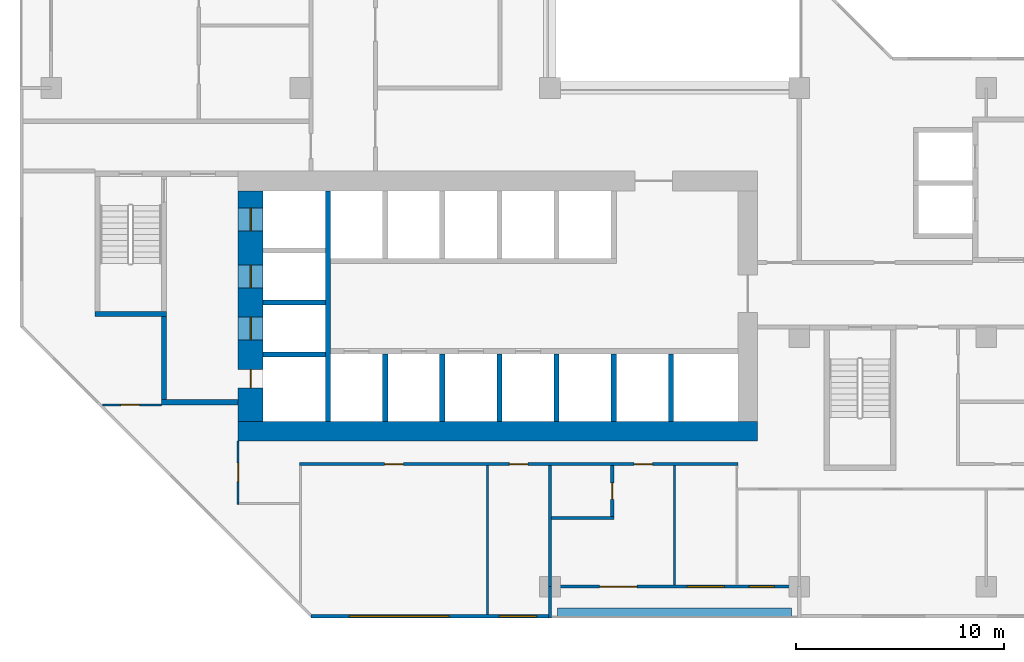
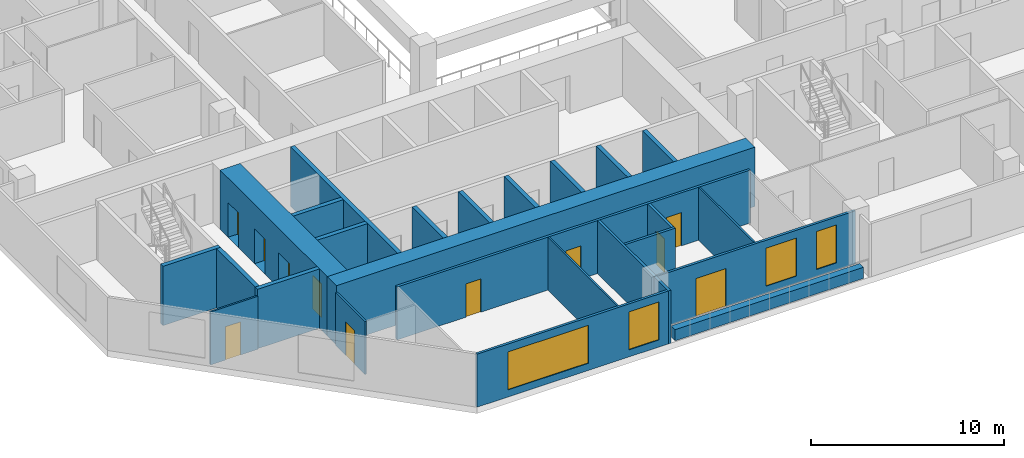
# One storey, part 4 of 15: 26 walls, 11 doors, 4 windows, 15 openings.
"""IFC4 building model written with IfcOpenShell, lengths in metres."""

from ifc_helpers import new_model, si_unit, direction, frame, frame_2d, origin, place, context, subcontext, project, spatial, rectangle, extrude, material, layer, layer_set, type_object, element, fill, save


model = new_model("IFC4")

# Units and contexts
model_context = context("Model", 3, precision=1e-05, world=origin(), true_north=direction((0.0, 1.0)))
body_context = subcontext(model_context, "Body", "Model", "MODEL_VIEW")
ifc_project = project(units=[si_unit("LENGTHUNIT", "METRE"), si_unit("AREAUNIT", "SQUARE_METRE"), si_unit("VOLUMEUNIT", "CUBIC_METRE"), si_unit("PLANEANGLEUNIT", "RADIAN"), si_unit("MASSUNIT", "GRAM", prefix="KILO")], contexts=[model_context])

# Site, building, storey
site_placement = place(None, origin())
site = spatial("IfcSite", under=ifc_project, at=site_placement, CompositionType="ELEMENT")
building_placement = place(site_placement, origin())
building = spatial("IfcBuilding", under=site, at=building_placement, Name="Chenar Terraces", CompositionType="ELEMENT")
storey_placement = place(building_placement, frame((0.0, 0.0, 95.64990234375)))
storey = spatial("IfcBuildingStorey", under=building, at=storey_placement, Name="L21", CompositionType="ELEMENT", Elevation=95.64990234375)

# Wall, openings, doors
ifc_material_1 = material(Name="Concrete C70/85", Category="concrete")
ifc_layer_1 = layer(ifc_material_1, 1.199951171875)
ifc_layer_set_1 = layer_set([ifc_layer_1], Name="Concrete C70/85")
wall_type_1 = type_object("IfcWallType", Name="Core wall 1200 Concrete C70/85", PredefinedType="SHEAR", material=ifc_layer_set_1)
wall_1_placement = place(storey_placement, frame((9.60009765625, 7.949951171875, 0.0), z_axis=(0.0, 0.0, 1.0), x_axis=(0.0, 1.0, 0.0)))
wall_1 = element("IfcWall", 1, at=wall_1_placement, inside=storey, type_object=wall_type_1, Name="Core wall W L21", PredefinedType="SHEAR", context=body_context, shape_type="SweptSolid", body=[
    extrude(rectangle(XDim=11.10009765625, YDim=1.199951171875, at=frame_2d((5.550048828125, 0.0))), origin(), (0.0, 0.0, 1.0), 3.75),
])
opening_1_placement = place(wall_1_placement, frame((3.925048828125, 0.0, 0.0)))
opening_1 = element("IfcOpeningElement", 2, at=opening_1_placement, cuts=wall_1, Name="Opening DL21-LD5", PredefinedType="OPENING", context=body_context, shape_type="SweptSolid", body=[
    extrude(rectangle(XDim=1.10009765625, YDim=2.199951171875, at=frame_2d((0.550048828125, 1.10009765625))), frame((0.0, 0.60986328125, 0.0), z_axis=(0.0, -1.0, 0.0), x_axis=(1.0, 0.0, 0.0)), (0.0, 0.0, 1.0), 1.219970703125),
])
opening_2_placement = place(wall_1_placement, frame((6.425048828125, 0.0, 0.0)))
opening_2 = element("IfcOpeningElement", 3, at=opening_2_placement, cuts=wall_1, Name="Opening DL21-LD6", PredefinedType="OPENING", context=body_context, shape_type="SweptSolid", body=[
    extrude(rectangle(XDim=1.10009765625, YDim=2.199951171875, at=frame_2d((0.550048828125, 1.10009765625))), frame((0.0, 0.60986328125, 0.0), z_axis=(0.0, -1.0, 0.0), x_axis=(1.0, 0.0, 0.0)), (0.0, 0.0, 1.0), 1.219970703125),
])
opening_3_placement = place(wall_1_placement, frame((9.175048828125, 0.0, 0.0)))
opening_3 = element("IfcOpeningElement", 4, at=opening_3_placement, cuts=wall_1, Name="Opening DL21-LD7", PredefinedType="OPENING", context=body_context, shape_type="SweptSolid", body=[
    extrude(rectangle(XDim=1.10009765625, YDim=2.199951171875, at=frame_2d((0.550048828125, 1.10009765625))), frame((0.0, 0.60986328125, 0.0), z_axis=(0.0, -1.0, 0.0), x_axis=(1.0, 0.0, 0.0)), (0.0, 0.0, 1.0), 1.219970703125),
])
opening_4_placement = place(wall_1_placement, frame((1.60009765625, 0.0, 0.0)))
opening_4 = element("IfcOpeningElement", 5, at=opening_4_placement, cuts=wall_1, Name="Opening DL21-C4", PredefinedType="OPENING", context=body_context, shape_type="SweptSolid", body=[
    extrude(rectangle(XDim=0.89990234375, YDim=2.10009765625, at=frame_2d((0.449951171875, 1.050048828125))), frame((0.0, 0.60986328125, 0.0), z_axis=(0.0, -1.0, 0.0), x_axis=(1.0, 0.0, 0.0)), (0.0, 0.0, 1.0), 1.219970703125),
])
ifc_material_2 = material(Name="Stainless steel", Category="steel")
door_type_1 = type_object("IfcDoorType", Name="Lift landing door 1100 x 2200 sliding", OperationType="DOUBLE_DOOR_SLIDING", PredefinedType="DOOR", material=ifc_material_2)
door_1_placement = place(opening_1_placement, origin())
door_1 = element("IfcDoor", 6, at=door_1_placement, inside=storey, type_object=door_type_1, Name="Landing door S1", OperationType="DOUBLE_DOOR_SLIDING", OverallHeight=2.199951171875, OverallWidth=1.10009765625, PredefinedType="DOOR", context=body_context, shape_type="SweptSolid", body=[
    extrude(rectangle(XDim=1.10009765625, YDim=2.199951171875, at=frame_2d((0.550048828125, 1.10009765625))), frame((0.0, 0.02490234375, 0.0), z_axis=(0.0, -1.0, 0.0), x_axis=(1.0, 0.0, 0.0)), (0.0, 0.0, 1.0), 0.050048828125),
])
fill(opening_1, door_1)
door_2_placement = place(opening_2_placement, origin())
door_2 = element("IfcDoor", 7, at=door_2_placement, inside=storey, type_object=door_type_1, Name="Landing door F1", OperationType="DOUBLE_DOOR_SLIDING", OverallHeight=2.199951171875, OverallWidth=1.10009765625, PredefinedType="DOOR", context=body_context, shape_type="SweptSolid", body=[
    extrude(rectangle(XDim=1.10009765625, YDim=2.199951171875, at=frame_2d((0.550048828125, 1.10009765625))), frame((0.0, 0.02490234375, 0.0), z_axis=(0.0, -1.0, 0.0), x_axis=(1.0, 0.0, 0.0)), (0.0, 0.0, 1.0), 0.050048828125),
])
fill(opening_2, door_2)
door_3_placement = place(opening_3_placement, origin())
door_3 = element("IfcDoor", 8, at=door_3_placement, inside=storey, type_object=door_type_1, Name="Landing door F2", OperationType="DOUBLE_DOOR_SLIDING", OverallHeight=2.199951171875, OverallWidth=1.10009765625, PredefinedType="DOOR", context=body_context, shape_type="SweptSolid", body=[
    extrude(rectangle(XDim=1.10009765625, YDim=2.199951171875, at=frame_2d((0.550048828125, 1.10009765625))), frame((0.0, 0.02490234375, 0.0), z_axis=(0.0, -1.0, 0.0), x_axis=(1.0, 0.0, 0.0)), (0.0, 0.0, 1.0), 0.050048828125),
])
fill(opening_3, door_3)
ifc_material_3 = material(Name="Steel-framed fire-resisting door leaf", Category="steel")
door_type_2 = type_object("IfcDoorType", Name="Riser fire door FD60 900 x 2100", OperationType="SINGLE_SWING_LEFT", PredefinedType="DOOR", material=ifc_material_3)
door_4_placement = place(opening_4_placement, frame((0.89990234375, 0.0, 0.0), z_axis=(0.0, 0.0, 1.0), x_axis=(-1.0, 0.0, 0.0)))
door_4 = element("IfcDoor", 9, at=door_4_placement, inside=storey, type_object=door_type_2, Name="Riser door DL21-C4", OperationType="SINGLE_SWING_LEFT", OverallHeight=2.10009765625, OverallWidth=0.89990234375, PredefinedType="DOOR", context=body_context, shape_type="SweptSolid", body=[
    extrude(rectangle(XDim=0.89990234375, YDim=2.10009765625, at=frame_2d((0.449951171875, 1.050048828125))), frame((0.0, 0.02490234375, 0.0), z_axis=(0.0, -1.0, 0.0), x_axis=(1.0, 0.0, 0.0)), (0.0, 0.0, 1.0), 0.050048828125),
])
fill(opening_4, door_4)

# Walls
ifc_material_4 = material(Name="Concrete C70/85", Category="concrete")
ifc_layer_2 = layer(ifc_material_4, 0.25)
ifc_layer_set_2 = layer_set([ifc_layer_2], Name="Concrete C70/85")
wall_type_2 = type_object("IfcWallType", Name="Core wall 250 Concrete C70/85", PredefinedType="SHEAR", material=ifc_layer_set_2)
wall_2_placement = place(storey_placement, frame((13.324951171875, 7.949951171875, 0.0), z_axis=(0.0, 0.0, 1.0), x_axis=(0.0, 1.0, 0.0)))
element("IfcWall", 10, at=wall_2_placement, inside=storey, type_object=wall_type_2, Name="Core wall WI L21", PredefinedType="SHEAR", context=body_context, shape_type="SweptSolid", body=[
    extrude(rectangle(XDim=11.10009765625, YDim=0.25, at=frame_2d((5.550048828125, 0.0))), origin(), (0.0, 0.0, 1.0), 3.75),
])
for number, where, z_axis, x_axis, name in (
    (11, (10.199951171875, 11.175048828125, 0.0), (0.0, 0.0, 1.0), (1.0, 0.0, 0.0), "Core wall HW0 L21"),
    (12, (10.199951171875, 13.675048828125, 0.0), (0.0, 0.0, 1.0), (1.0, 0.0, 0.0), "Core wall HW1 L21"),
):
    element("IfcWall", number, at=place(storey_placement, frame(where, z_axis=z_axis, x_axis=x_axis)), inside=storey, type_object=wall_type_2, Name=name, PredefinedType="SHEAR", context=body_context, shape_type="SweptSolid", body=[
        extrude(rectangle(XDim=3.0, YDim=0.25, at=frame_2d((1.5, 0.0))), origin(), (0.0, 0.0, 1.0), 3.75),
    ])
for number, where, z_axis, x_axis, name in (
    (13, (16.074951171875, 7.949951171875, 0.0), (0.0, 0.0, 1.0), (0.0, 1.0, 0.0), "Core wall SS0 L21"),
    (14, (18.824951171875, 7.949951171875, 0.0), (0.0, 0.0, 1.0), (0.0, 1.0, 0.0), "Core wall SS1 L21"),
    (15, (21.574951171875, 7.949951171875, 0.0), (0.0, 0.0, 1.0), (0.0, 1.0, 0.0), "Core wall SS2 L21"),
    (16, (24.324951171875, 7.949951171875, 0.0), (0.0, 0.0, 1.0), (0.0, 1.0, 0.0), "Core wall SS3 L21"),
    (17, (27.074951171875, 7.949951171875, 0.0), (0.0, 0.0, 1.0), (0.0, 1.0, 0.0), "Core wall SS4 L21"),
    (18, (29.824951171875, 7.949951171875, 0.0), (0.0, 0.0, 1.0), (0.0, 1.0, 0.0), "Core wall SS5 L21"),
):
    element("IfcWall", number, at=place(storey_placement, frame(where, z_axis=z_axis, x_axis=x_axis)), inside=storey, type_object=wall_type_2, Name=name, PredefinedType="SHEAR", context=body_context, shape_type="SweptSolid", body=[
        extrude(rectangle(XDim=3.25, YDim=0.25, at=frame_2d((1.625, 0.0))), origin(), (0.0, 0.0, 1.0), 3.75),
    ])
wall_3_placement = place(storey_placement, frame((2.10009765625, 13.125, 0.0), z_axis=(0.0, 0.0, 1.0), x_axis=(1.0, 0.0, 0.0)))
element("IfcWall", 19, at=wall_3_placement, inside=storey, type_object=wall_type_2, Name="Core wall ST1_S L21", PredefinedType="SHEAR", context=body_context, shape_type="SweptSolid", body=[
    extrude(rectangle(XDim=3.449951171875, YDim=0.25, at=frame_2d((1.72509765625, 0.0))), origin(), (0.0, 0.0, 1.0), 3.75),
])
wall_4_placement = place(storey_placement, frame((5.300048828125, 8.875, 0.0), z_axis=(0.0, 0.0, 1.0), x_axis=(1.0, 0.0, 0.0)))
element("IfcWall", 20, at=wall_4_placement, inside=storey, type_object=wall_type_2, Name="Core wall FFL_S L21", PredefinedType="SHEAR", context=body_context, shape_type="SweptSolid", body=[
    extrude(rectangle(XDim=3.699951171875, YDim=0.25, at=frame_2d((1.85009765625, 0.0))), origin(), (0.0, 0.0, 1.0), 3.75),
])
wall_5_placement = place(storey_placement, frame((5.425048828125, 9.0, 0.0), z_axis=(0.0, 0.0, 1.0), x_axis=(0.0, 1.0, 0.0)))
element("IfcWall", 21, at=wall_5_placement, inside=storey, type_object=wall_type_2, Name="Core wall FFL_W L21", PredefinedType="SHEAR", context=body_context, shape_type="SweptSolid", body=[
    extrude(rectangle(XDim=4.0, YDim=0.25, at=frame_2d((2.0, 0.0))), origin(), (0.0, 0.0, 1.0), 3.75),
])
ifc_material_5 = material(Name="Concrete C70/85", Category="concrete")
ifc_layer_3 = layer(ifc_material_5, 0.949951171875)
ifc_layer_set_3 = layer_set([ifc_layer_3], Name="Concrete C70/85")
wall_type_3 = type_object("IfcWallType", Name="Core wall 950 Concrete C70/85", PredefinedType="SHEAR", material=ifc_layer_set_3)
wall_6_placement = place(storey_placement, frame((9.0, 7.47509765625, 0.0), z_axis=(0.0, 0.0, 1.0), x_axis=(1.0, 0.0, 0.0)))
element("IfcWall", 22, at=wall_6_placement, inside=storey, type_object=wall_type_3, Name="Core wall S L21", PredefinedType="SHEAR", context=body_context, shape_type="SweptSolid", body=[
    extrude(rectangle(XDim=25.0, YDim=0.949951171875, at=frame_2d((12.5, 0.0))), origin(), (0.0, 0.0, 1.0), 3.75),
])

# Wall, openings, windows
ifc_material_6 = material(Name="Aluminium framed glazing", Category="aluminium")
ifc_layer_4 = layer(ifc_material_6, 0.14990234375)
ifc_layer_set_4 = layer_set([ifc_layer_4], Name="Aluminium framed glazing")
wall_type_4 = type_object("IfcWallType", Name="Glazed flush facade wall 150", PredefinedType="SOLIDWALL", material=ifc_layer_set_4)
wall_7_placement = place(storey_placement, frame((12.5, -1.425048828125, 0.0), z_axis=(0.0, 0.0, 1.0), x_axis=(1.0, 0.0, 0.0)))
wall_7 = element("IfcWall", 23, at=wall_7_placement, inside=storey, type_object=wall_type_4, Name="Glazed flush facade wall", PredefinedType="SOLIDWALL", context=body_context, shape_type="SweptSolid", body=[
    extrude(rectangle(XDim=11.425048828125, YDim=0.14990234375, at=frame_2d((5.71240234375, 0.0))), origin(), (0.0, 0.0, 1.0), 3.35009765625),
])
opening_5_placement = place(wall_7_placement, frame((1.85009765625, 0.0, 0.449951171875)))
opening_5 = element("IfcOpeningElement", 24, at=opening_5_placement, cuts=wall_7, Name="Opening W480x240", PredefinedType="OPENING", context=body_context, shape_type="SweptSolid", body=[
    extrude(rectangle(XDim=4.800048828125, YDim=2.39990234375, at=frame_2d((2.39990234375, 1.199951171875))), frame((0.0, 0.0849609375, 0.0), z_axis=(0.0, -1.0, 0.0), x_axis=(1.0, 0.0, 0.0)), (0.0, 0.0, 1.0), 0.169921875),
])
opening_6_placement = place(wall_7_placement, frame((9.0625, 0.0, 0.449951171875)))
opening_6 = element("IfcOpeningElement", 25, at=opening_6_placement, cuts=wall_7, Name="Opening W180x240", PredefinedType="OPENING", context=body_context, shape_type="SweptSolid", body=[
    extrude(rectangle(XDim=1.800048828125, YDim=2.39990234375, at=frame_2d((0.89990234375, 1.199951171875))), frame((0.0, 0.0849609375, 0.0), z_axis=(0.0, -1.0, 0.0), x_axis=(1.0, 0.0, 0.0)), (0.0, 0.0, 1.0), 0.169921875),
])
ifc_material_7 = material(Name="Low emissivity double glazing, aluminium frame", Category="aluminium")
window_type_1 = type_object("IfcWindowType", Name="Fixed light 1800 x 2400", PartitioningType="SINGLE_PANEL", PredefinedType="WINDOW", material=ifc_material_7)
window_1_placement = place(opening_6_placement, origin())
window_1 = element("IfcWindow", 26, at=window_1_placement, inside=storey, type_object=window_type_1, Name="Window", OverallHeight=2.39990234375, OverallWidth=1.800048828125, PartitioningType="SINGLE_PANEL", PredefinedType="WINDOW", context=body_context, shape_type="SweptSolid", body=[
    extrude(rectangle(XDim=1.800048828125, YDim=2.39990234375, at=frame_2d((0.89990234375, 1.199951171875))), frame((0.0, 0.030029296875, 0.0), z_axis=(0.0, -1.0, 0.0), x_axis=(1.0, 0.0, 0.0)), (0.0, 0.0, 1.0), 0.06005859375),
])
fill(opening_6, window_1)
ifc_material_8 = material(Name="Low emissivity double glazing, aluminium frame", Category="aluminium")
window_type_2 = type_object("IfcWindowType", Name="Fixed light 4800 x 2400", PartitioningType="SINGLE_PANEL", PredefinedType="WINDOW", material=ifc_material_8)
window_2_placement = place(opening_5_placement, origin())
window_2 = element("IfcWindow", 27, at=window_2_placement, inside=storey, type_object=window_type_2, Name="Window", OverallHeight=2.39990234375, OverallWidth=4.800048828125, PartitioningType="SINGLE_PANEL", PredefinedType="WINDOW", context=body_context, shape_type="SweptSolid", body=[
    extrude(rectangle(XDim=4.800048828125, YDim=2.39990234375, at=frame_2d((2.39990234375, 1.199951171875))), frame((0.0, 0.030029296875, 0.0), z_axis=(0.0, -1.0, 0.0), x_axis=(1.0, 0.0, 0.0)), (0.0, 0.0, 1.0), 0.06005859375),
])
fill(opening_5, window_2)

# Wall, openings, windows, door
ifc_material_9 = material(Name="Aluminium framed glazing", Category="aluminium")
ifc_layer_5 = layer(ifc_material_9, 0.14990234375)
ifc_layer_set_5 = layer_set([ifc_layer_5], Name="Aluminium framed glazing")
wall_type_5 = type_object("IfcWallType", Name="Glazed loggia back wall 150", PredefinedType="SOLIDWALL", material=ifc_layer_set_5)
wall_8_placement = place(storey_placement, frame((24.074951171875, 0.0, 0.0), z_axis=(0.0, 0.0, 1.0), x_axis=(1.0, 0.0, 0.0)))
wall_8 = element("IfcWall", 28, at=wall_8_placement, inside=storey, type_object=wall_type_5, Name="Glazed loggia back wall", PredefinedType="SOLIDWALL", context=body_context, shape_type="SweptSolid", body=[
    extrude(rectangle(XDim=11.85009765625, YDim=0.14990234375, at=frame_2d((5.925048828125, 0.0))), origin(), (0.0, 0.0, 1.0), 3.35009765625),
])
opening_7_placement = place(wall_8_placement, frame((2.324951171875, 0.0, 0.0)))
opening_7 = element("IfcOpeningElement", 29, at=opening_7_placement, cuts=wall_8, Name="Opening DL21-G6", PredefinedType="OPENING", context=body_context, shape_type="SweptSolid", body=[
    extrude(rectangle(XDim=1.800048828125, YDim=2.39990234375, at=frame_2d((0.89990234375, 1.199951171875))), frame((0.0, 0.0849609375, 0.0), z_axis=(0.0, -1.0, 0.0), x_axis=(1.0, 0.0, 0.0)), (0.0, 0.0, 1.0), 0.169921875),
])
opening_8_placement = place(wall_8_placement, frame((6.52490234375, 0.0, 0.449951171875)))
opening_8 = element("IfcOpeningElement", 30, at=opening_8_placement, cuts=wall_8, Name="Opening W180x240", PredefinedType="OPENING", context=body_context, shape_type="SweptSolid", body=[
    extrude(rectangle(XDim=1.800048828125, YDim=2.39990234375, at=frame_2d((0.89990234375, 1.199951171875))), frame((0.0, 0.0849609375, 0.0), z_axis=(0.0, -1.0, 0.0), x_axis=(1.0, 0.0, 0.0)), (0.0, 0.0, 1.0), 0.169921875),
])
opening_9_placement = place(wall_8_placement, frame((9.52490234375, 0.0, 0.449951171875)))
opening_9 = element("IfcOpeningElement", 31, at=opening_9_placement, cuts=wall_8, Name="Opening W120x240", PredefinedType="OPENING", context=body_context, shape_type="SweptSolid", body=[
    extrude(rectangle(XDim=1.199951171875, YDim=2.39990234375, at=frame_2d((0.60009765625, 1.199951171875))), frame((0.0, 0.0849609375, 0.0), z_axis=(0.0, -1.0, 0.0), x_axis=(1.0, 0.0, 0.0)), (0.0, 0.0, 1.0), 0.169921875),
])
ifc_material_10 = material(Name="Low emissivity double glazing, aluminium frame", Category="aluminium")
window_type_3 = type_object("IfcWindowType", Name="Fixed light 1200 x 2400", PartitioningType="SINGLE_PANEL", PredefinedType="WINDOW", material=ifc_material_10)
window_3_placement = place(opening_9_placement, origin())
window_3 = element("IfcWindow", 32, at=window_3_placement, inside=storey, type_object=window_type_3, Name="Window", OverallHeight=2.39990234375, OverallWidth=1.199951171875, PartitioningType="SINGLE_PANEL", PredefinedType="WINDOW", context=body_context, shape_type="SweptSolid", body=[
    extrude(rectangle(XDim=1.199951171875, YDim=2.39990234375, at=frame_2d((0.60009765625, 1.199951171875))), frame((0.0, 0.030029296875, 0.0), z_axis=(0.0, -1.0, 0.0), x_axis=(1.0, 0.0, 0.0)), (0.0, 0.0, 1.0), 0.06005859375),
])
fill(opening_9, window_3)
window_4_placement = place(opening_8_placement, origin())
window_4 = element("IfcWindow", 33, at=window_4_placement, inside=storey, type_object=window_type_1, Name="Window", OverallHeight=2.39990234375, OverallWidth=1.800048828125, PartitioningType="SINGLE_PANEL", PredefinedType="WINDOW", context=body_context, shape_type="SweptSolid", body=[
    extrude(rectangle(XDim=1.800048828125, YDim=2.39990234375, at=frame_2d((0.89990234375, 1.199951171875))), frame((0.0, 0.030029296875, 0.0), z_axis=(0.0, -1.0, 0.0), x_axis=(1.0, 0.0, 0.0)), (0.0, 0.0, 1.0), 0.06005859375),
])
fill(opening_8, window_4)
ifc_material_11 = material(Name="Low emissivity double glazing, aluminium frame", Category="aluminium")
door_type_3 = type_object("IfcDoorType", Name="Loggia glazed double door 1800 x 2400", OperationType="DOUBLE_DOOR_SINGLE_SWING", PredefinedType="DOOR", material=ifc_material_11)
door_5_placement = place(opening_7_placement, frame((1.800048828125, 0.0, 0.0), z_axis=(0.0, 0.0, 1.0), x_axis=(-1.0, 0.0, 0.0)))
door_5 = element("IfcDoor", 34, at=door_5_placement, inside=storey, type_object=door_type_3, Name="Loggia glazed door", OperationType="DOUBLE_DOOR_SINGLE_SWING", OverallHeight=2.39990234375, OverallWidth=1.800048828125, PredefinedType="DOOR", context=body_context, shape_type="SweptSolid", body=[
    extrude(rectangle(XDim=1.800048828125, YDim=2.39990234375, at=frame_2d((0.89990234375, 1.199951171875))), frame((0.0, 0.02490234375, 0.0), z_axis=(0.0, -1.0, 0.0), x_axis=(1.0, 0.0, 0.0)), (0.0, 0.0, 1.0), 0.050048828125),
])
fill(opening_7, door_5)

# Wall, opening, door
ifc_material_12 = material(Name="Gypsum board on steel studs", Category="steel")
ifc_layer_6 = layer(ifc_material_12, 0.10009765625)
ifc_layer_set_6 = layer_set([ifc_layer_6], Name="Gypsum board on steel studs")
wall_type_6 = type_object("IfcWallType", Name="Gypsum partition 100", PredefinedType="PARTITIONING", material=ifc_layer_set_6)
wall_9_placement = place(storey_placement, frame((2.4609375, 8.75, 0.0), z_axis=(0.0, 0.0, 1.0), x_axis=(1.0, 0.0, 0.0)))
wall_9 = element("IfcWall", 35, at=wall_9_placement, inside=storey, type_object=wall_type_6, Name="Partition L21-010", PredefinedType="PARTITIONING", context=body_context, shape_type="SweptSolid", body=[
    extrude(rectangle(XDim=2.839111328125, YDim=0.10009765625, at=frame_2d((1.41943359375, 0.0))), origin(), (0.0, 0.0, 1.0), 3.35009765625),
])
opening_10_placement = place(wall_9_placement, frame((0.888916015625, 0.0, 0.0)))
opening_10 = element("IfcOpeningElement", 36, at=opening_10_placement, cuts=wall_9, Name="Opening DL21-60", PredefinedType="OPENING", context=body_context, shape_type="SweptSolid", body=[
    extrude(rectangle(XDim=0.89990234375, YDim=2.10009765625, at=frame_2d((0.449951171875, 1.050048828125))), frame((0.0, 0.06005859375, 0.0), z_axis=(0.0, -1.0, 0.0), x_axis=(1.0, 0.0, 0.0)), (0.0, 0.0, 1.0), 0.1201171875),
])
ifc_material_13 = material(Name="Veneered timber door leaf", Category="wood")
door_type_4 = type_object("IfcDoorType", Name="Door 900 x 2100", OperationType="SINGLE_SWING_LEFT", PredefinedType="DOOR", material=ifc_material_13)
door_6_placement = place(opening_10_placement, frame((0.89990234375, 0.0, 0.0), z_axis=(0.0, 0.0, 1.0), x_axis=(-1.0, 0.0, 0.0)))
door_6 = element("IfcDoor", 37, at=door_6_placement, inside=storey, type_object=door_type_4, Name="Door DL21-60", OperationType="SINGLE_SWING_RIGHT", OverallHeight=2.10009765625, OverallWidth=0.89990234375, PredefinedType="DOOR", context=body_context, shape_type="SweptSolid", body=[
    extrude(rectangle(XDim=0.89990234375, YDim=2.10009765625, at=frame_2d((0.449951171875, 1.050048828125))), frame((0.0, 0.02490234375, 0.0), z_axis=(0.0, -1.0, 0.0), x_axis=(1.0, 0.0, 0.0)), (0.0, 0.0, 1.0), 0.050048828125),
])
fill(opening_10, door_6)

wall_10_placement = place(storey_placement, frame((9.0, 3.949951171875, 0.0), z_axis=(0.0, 0.0, 1.0), x_axis=(0.0, 1.0, 0.0)))
wall_10 = element("IfcWall", 38, at=wall_10_placement, inside=storey, type_object=wall_type_6, Name="Partition L21-033", PredefinedType="PARTITIONING", context=body_context, shape_type="SweptSolid", body=[
    extrude(rectangle(XDim=3.050048828125, YDim=0.10009765625, at=frame_2d((1.52490234375, 0.0))), origin(), (0.0, 0.0, 1.0), 3.35009765625),
])
opening_11_placement = place(wall_10_placement, frame((1.10009765625, 0.0, 0.0)))
opening_11 = element("IfcOpeningElement", 39, at=opening_11_placement, cuts=wall_10, Name="Opening DL21-59", PredefinedType="OPENING", context=body_context, shape_type="SweptSolid", body=[
    extrude(rectangle(XDim=0.89990234375, YDim=2.10009765625, at=frame_2d((0.449951171875, 1.050048828125))), frame((0.0, 0.06005859375, 0.0), z_axis=(0.0, -1.0, 0.0), x_axis=(1.0, 0.0, 0.0)), (0.0, 0.0, 1.0), 0.1201171875),
])
door_7_placement = place(opening_11_placement, origin())
door_7 = element("IfcDoor", 40, at=door_7_placement, inside=storey, type_object=door_type_4, Name="Door DL21-59", OperationType="SINGLE_SWING_LEFT", OverallHeight=2.10009765625, OverallWidth=0.89990234375, PredefinedType="DOOR", context=body_context, shape_type="SweptSolid", body=[
    extrude(rectangle(XDim=0.89990234375, YDim=2.10009765625, at=frame_2d((0.449951171875, 1.050048828125))), frame((0.0, 0.02490234375, 0.0), z_axis=(0.0, -1.0, 0.0), x_axis=(1.0, 0.0, 0.0)), (0.0, 0.0, 1.0), 0.050048828125),
])
fill(opening_11, door_7)

# Walls
wall_11_placement = place(storey_placement, frame((21.0, -1.35009765625, 0.0), z_axis=(0.0, 0.0, 1.0), x_axis=(0.0, 1.0, 0.0)))
element("IfcWall", 41, at=wall_11_placement, inside=storey, type_object=wall_type_6, Name="Partition L21-059", PredefinedType="PARTITIONING", context=body_context, shape_type="SweptSolid", body=[
    extrude(rectangle(XDim=7.175048828125, YDim=0.10009765625, at=frame_2d((3.58740234375, 0.0))), origin(), (0.0, 0.0, 1.0), 3.35009765625),
])
wall_12_placement = place(storey_placement, frame((30.0, 0.073974609375, 0.0), z_axis=(0.0, 0.0, 1.0), x_axis=(0.0, 1.0, 0.0)))
element("IfcWall", 42, at=wall_12_placement, inside=storey, type_object=wall_type_6, Name="Partition L21-064", PredefinedType="PARTITIONING", context=body_context, shape_type="SweptSolid", body=[
    extrude(rectangle(XDim=5.7509765625, YDim=0.10009765625, at=frame_2d((2.87548828125, 0.0))), origin(), (0.0, 0.0, 1.0), 3.35009765625),
])
ifc_material_14 = material(Name="Terracotta cladding on insulated backing", Category="masonry")
ifc_layer_7 = layer(ifc_material_14, 0.14990234375)
ifc_layer_set_7 = layer_set([ifc_layer_7], Name="Terracotta cladding on insulated backing")
wall_type_7 = type_object("IfcWallType", Name="Loggia return wall 150", PredefinedType="SOLIDWALL", material=ifc_layer_set_7)
wall_13_placement = place(storey_placement, frame((24.0, -1.5, 0.0), z_axis=(0.0, 0.0, 1.0), x_axis=(0.0, 1.0, 0.0)))
element("IfcWall", 43, at=wall_13_placement, inside=storey, type_object=wall_type_7, Name="Loggia return wall", PredefinedType="SOLIDWALL", context=body_context, shape_type="SweptSolid", body=[
    extrude(rectangle(XDim=1.5, YDim=0.14990234375, at=frame_2d((0.75, 0.0))), origin(), (0.0, 0.0, 1.0), 3.35009765625),
])
ifc_material_15 = material(Name="GRP planter trough")
ifc_layer_8 = layer(ifc_material_15, 0.39990234375)
ifc_layer_set_8 = layer_set([ifc_layer_8], Name="GRP planter trough")
wall_type_8 = type_object("IfcWallType", Name="Vertical greenery planter 400", PredefinedType="SOLIDWALL", material=ifc_layer_set_8)
wall_14_placement = place(storey_placement, frame((24.375, -1.22900390625, 0.0), z_axis=(0.0, 0.0, 1.0), x_axis=(1.0, 0.0, 0.0)))
element("IfcWall", 44, at=wall_14_placement, inside=storey, type_object=wall_type_8, Name="Vertical greenery planter", PredefinedType="SOLIDWALL", context=body_context, shape_type="SweptSolid", body=[
    extrude(rectangle(XDim=11.25, YDim=0.39990234375, at=frame_2d((5.625, 0.0))), origin(), (0.0, 0.0, 1.0), 0.7001953125),
])

# Wall, openings, doors
ifc_material_16 = material(Name="Moisture-resistant gypsum board on steel studs", Category="steel")
ifc_layer_9 = layer(ifc_material_16, 0.14990234375)
ifc_layer_set_9 = layer_set([ifc_layer_9], Name="Moisture-resistant gypsum board on steel studs")
wall_type_9 = type_object("IfcWallType", Name="Wet-room partition 150", PredefinedType="PARTITIONING", material=ifc_layer_set_9)
wall_15_placement = place(storey_placement, frame((11.949951171875, 5.89990234375, 0.0), z_axis=(0.0, 0.0, 1.0), x_axis=(1.0, 0.0, 0.0)))
wall_15 = element("IfcWall", 45, at=wall_15_placement, inside=storey, type_object=wall_type_9, Name="Partition L21-035", PredefinedType="PARTITIONING", context=body_context, shape_type="SweptSolid", body=[
    extrude(rectangle(XDim=21.10009765625, YDim=0.14990234375, at=frame_2d((10.550048828125, 0.0))), origin(), (0.0, 0.0, 1.0), 3.35009765625),
])
opening_12_placement = place(wall_15_placement, frame((10.10009765625, 0.0, 0.0)))
opening_12 = element("IfcOpeningElement", 46, at=opening_12_placement, cuts=wall_15, Name="Opening DL21-55", PredefinedType="OPENING", context=body_context, shape_type="SweptSolid", body=[
    extrude(rectangle(XDim=0.89990234375, YDim=2.10009765625, at=frame_2d((0.449951171875, 1.050048828125))), frame((0.0, 0.0849609375, 0.0), z_axis=(0.0, -1.0, 0.0), x_axis=(1.0, 0.0, 0.0)), (0.0, 0.0, 1.0), 0.169921875),
])
opening_13_placement = place(wall_15_placement, frame((16.10009765625, 0.0, 0.0)))
opening_13 = element("IfcOpeningElement", 47, at=opening_13_placement, cuts=wall_15, Name="Opening DL21-61", PredefinedType="OPENING", context=body_context, shape_type="SweptSolid", body=[
    extrude(rectangle(XDim=0.89990234375, YDim=2.10009765625, at=frame_2d((0.449951171875, 1.050048828125))), frame((0.0, 0.0849609375, 0.0), z_axis=(0.0, -1.0, 0.0), x_axis=(1.0, 0.0, 0.0)), (0.0, 0.0, 1.0), 0.169921875),
])
opening_14_placement = place(wall_15_placement, frame((4.10009765625, 0.0, 0.0)))
opening_14 = element("IfcOpeningElement", 48, at=opening_14_placement, cuts=wall_15, Name="Opening DL21-65", PredefinedType="OPENING", context=body_context, shape_type="SweptSolid", body=[
    extrude(rectangle(XDim=0.89990234375, YDim=2.10009765625, at=frame_2d((0.449951171875, 1.050048828125))), frame((0.0, 0.0849609375, 0.0), z_axis=(0.0, -1.0, 0.0), x_axis=(1.0, 0.0, 0.0)), (0.0, 0.0, 1.0), 0.169921875),
])
door_8_placement = place(opening_12_placement, frame((0.89990234375, 0.0, 0.0), z_axis=(0.0, 0.0, 1.0), x_axis=(-1.0, 0.0, 0.0)))
door_8 = element("IfcDoor", 49, at=door_8_placement, inside=storey, type_object=door_type_4, Name="Door DL21-55", OperationType="SINGLE_SWING_RIGHT", OverallHeight=2.10009765625, OverallWidth=0.89990234375, PredefinedType="DOOR", context=body_context, shape_type="SweptSolid", body=[
    extrude(rectangle(XDim=0.89990234375, YDim=2.10009765625, at=frame_2d((0.449951171875, 1.050048828125))), frame((0.0, 0.02490234375, 0.0), z_axis=(0.0, -1.0, 0.0), x_axis=(1.0, 0.0, 0.0)), (0.0, 0.0, 1.0), 0.050048828125),
])
fill(opening_12, door_8)
door_9_placement = place(opening_13_placement, frame((0.89990234375, 0.0, 0.0), z_axis=(0.0, 0.0, 1.0), x_axis=(-1.0, 0.0, 0.0)))
door_9 = element("IfcDoor", 50, at=door_9_placement, inside=storey, type_object=door_type_4, Name="Door DL21-61", OperationType="SINGLE_SWING_RIGHT", OverallHeight=2.10009765625, OverallWidth=0.89990234375, PredefinedType="DOOR", context=body_context, shape_type="SweptSolid", body=[
    extrude(rectangle(XDim=0.89990234375, YDim=2.10009765625, at=frame_2d((0.449951171875, 1.050048828125))), frame((0.0, 0.02490234375, 0.0), z_axis=(0.0, -1.0, 0.0), x_axis=(1.0, 0.0, 0.0)), (0.0, 0.0, 1.0), 0.050048828125),
])
fill(opening_13, door_9)
door_10_placement = place(opening_14_placement, frame((0.89990234375, 0.0, 0.0), z_axis=(0.0, 0.0, 1.0), x_axis=(-1.0, 0.0, 0.0)))
door_10 = element("IfcDoor", 51, at=door_10_placement, inside=storey, type_object=door_type_4, Name="Door DL21-65", OperationType="SINGLE_SWING_RIGHT", OverallHeight=2.10009765625, OverallWidth=0.89990234375, PredefinedType="DOOR", context=body_context, shape_type="SweptSolid", body=[
    extrude(rectangle(XDim=0.89990234375, YDim=2.10009765625, at=frame_2d((0.449951171875, 1.050048828125))), frame((0.0, 0.02490234375, 0.0), z_axis=(0.0, -1.0, 0.0), x_axis=(1.0, 0.0, 0.0)), (0.0, 0.0, 1.0), 0.050048828125),
])
fill(opening_14, door_10)

# Walls
wall_16_placement = place(storey_placement, frame((24.0, 0.0, 0.0), z_axis=(0.0, 0.0, 1.0), x_axis=(0.0, 1.0, 0.0)))
element("IfcWall", 52, at=wall_16_placement, inside=storey, type_object=wall_type_9, Name="Partition L21-061", PredefinedType="PARTITIONING", context=body_context, shape_type="SweptSolid", body=[
    extrude(rectangle(XDim=5.824951171875, YDim=0.14990234375, at=frame_2d((2.91259765625, 0.0))), origin(), (0.0, 0.0, 1.0), 3.35009765625),
])
wall_17_placement = place(storey_placement, frame((24.074951171875, 3.300048828125, 0.0), z_axis=(0.0, 0.0, 1.0), x_axis=(1.0, 0.0, 0.0)))
element("IfcWall", 53, at=wall_17_placement, inside=storey, type_object=wall_type_9, Name="Partition L21-062", PredefinedType="PARTITIONING", context=body_context, shape_type="SweptSolid", body=[
    extrude(rectangle(XDim=3.0, YDim=0.14990234375, at=frame_2d((1.5, 0.0))), origin(), (0.0, 0.0, 1.0), 3.35009765625),
])

# Wall, opening, door
wall_18_placement = place(storey_placement, frame((27.0, 3.375, 0.0), z_axis=(0.0, 0.0, 1.0), x_axis=(0.0, 1.0, 0.0)))
wall_18 = element("IfcWall", 54, at=wall_18_placement, inside=storey, type_object=wall_type_9, Name="Partition L21-063", PredefinedType="PARTITIONING", context=body_context, shape_type="SweptSolid", body=[
    extrude(rectangle(XDim=2.449951171875, YDim=0.14990234375, at=frame_2d((1.22509765625, 0.0))), origin(), (0.0, 0.0, 1.0), 3.35009765625),
])
opening_15_placement = place(wall_18_placement, frame((0.824951171875, 0.0, 0.0)))
opening_15 = element("IfcOpeningElement", 55, at=opening_15_placement, cuts=wall_18, Name="Opening DL21-62", PredefinedType="OPENING", context=body_context, shape_type="SweptSolid", body=[
    extrude(rectangle(XDim=0.800048828125, YDim=2.10009765625, at=frame_2d((0.39990234375, 1.050048828125))), frame((0.0, 0.0849609375, 0.0), z_axis=(0.0, -1.0, 0.0), x_axis=(1.0, 0.0, 0.0)), (0.0, 0.0, 1.0), 0.169921875),
])
ifc_material_17 = material(Name="Veneered timber door leaf", Category="wood")
door_type_5 = type_object("IfcDoorType", Name="Door 800 x 2100", OperationType="SINGLE_SWING_LEFT", PredefinedType="DOOR", material=ifc_material_17)
door_11_placement = place(opening_15_placement, origin())
door_11 = element("IfcDoor", 56, at=door_11_placement, inside=storey, type_object=door_type_5, Name="Door DL21-62", OperationType="SINGLE_SWING_RIGHT", OverallHeight=2.10009765625, OverallWidth=0.800048828125, PredefinedType="DOOR", context=body_context, shape_type="SweptSolid", body=[
    extrude(rectangle(XDim=0.800048828125, YDim=2.10009765625, at=frame_2d((0.39990234375, 1.050048828125))), frame((0.0, 0.02490234375, 0.0), z_axis=(0.0, -1.0, 0.0), x_axis=(1.0, 0.0, 0.0)), (0.0, 0.0, 1.0), 0.050048828125),
])
fill(opening_15, door_11)

save(model, "model.ifc")
